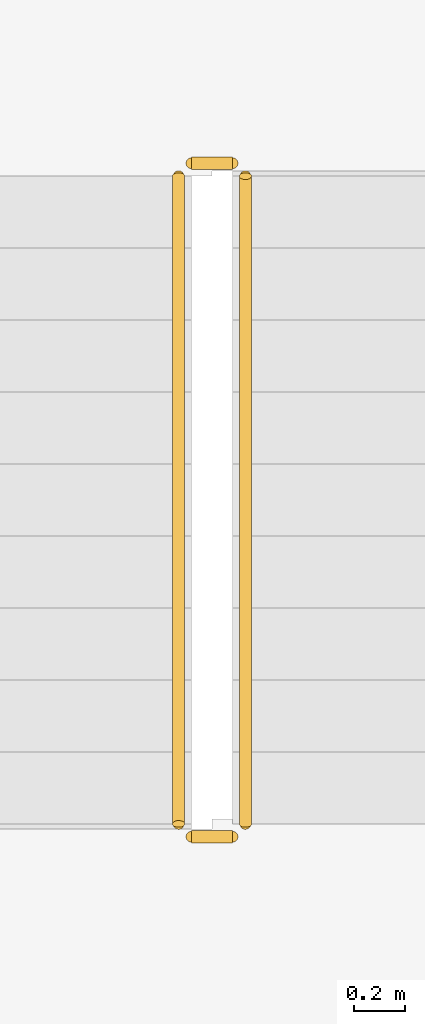
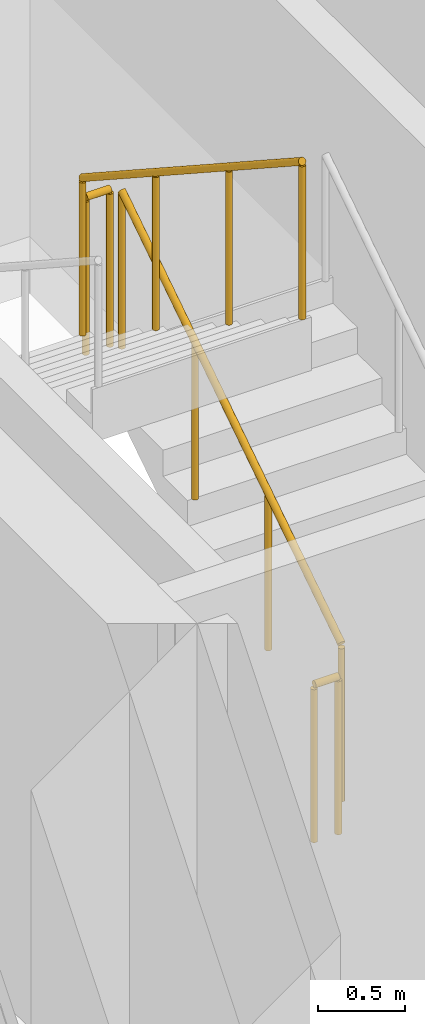
# One storey, part 10 of 13: 4 railings.
"""IFC4 building model written with IfcOpenShell, lengths in metres."""

from ifc_helpers import new_model, si_unit, direction, frame, origin, origin_2d, place, context, subcontext, project, spatial, circle, extrude, material, type_object, element, save


model = new_model("IFC4")

# Units and contexts
model_context = context("Model", 3, precision=1e-05, world=origin(), true_north=direction((0.0, 1.0)))
body_context = subcontext(model_context, "Body", "Model", "MODEL_VIEW")
ifc_project = project(units=[si_unit("LENGTHUNIT", "METRE"), si_unit("AREAUNIT", "SQUARE_METRE"), si_unit("VOLUMEUNIT", "CUBIC_METRE"), si_unit("PLANEANGLEUNIT", "RADIAN"), si_unit("MASSUNIT", "GRAM", prefix="KILO")], contexts=[model_context])

# Site, building, storey
site_placement = place(None, origin())
site = spatial("IfcSite", under=ifc_project, at=site_placement, CompositionType="ELEMENT")
building_placement = place(site_placement, origin())
building = spatial("IfcBuilding", under=site, at=building_placement, Name="Nuvemarco Arch Tower", CompositionType="ELEMENT")
storey_placement = place(building_placement, frame((0.0, 0.0, 27.60009765625)))
storey = spatial("IfcBuildingStorey", under=building, at=storey_placement, Name="L06", CompositionType="ELEMENT", Elevation=27.60009765625)

# Railings
ifc_material = material(Name="Painted balustrade steel S355", Category="steel")
railing_type = type_object("IfcRailingType", Name="RL-STAIR-GUARD", PredefinedType="GUARDRAIL", material=ifc_material)
railing_1_placement = place(storey_placement, frame((-14.93994140625, 2.64990234375, 0.182373046875)))
element("IfcRailing", 1, at=railing_1_placement, inside=storey, type_object=railing_type, Name="L06 ST-1 stair guard 1", PredefinedType="GUARDRAIL", context=body_context, shape_type="SweptSolid", body=[
    extrude(circle(Radius=0.02392578125, at=origin_2d()), frame((0.0, 0.0, 1.09619140625), z_axis=(0.0, 0.837749427056, 0.546054848405), x_axis=(-1.0, 0.0, 0.0)), (0.0, 0.0, 1.0), 3.008056640625),
    extrude(circle(Radius=0.02099609375, at=origin_2d()), origin(), (0.0, 0.0, 1.0), 1.072021484375),
    extrude(circle(Radius=0.02099609375, at=origin_2d()), frame((0.0, 0.840087890625, 0.547607421875)), (0.0, 0.0, 1.0), 1.072021484375),
    extrude(circle(Radius=0.02099609375, at=origin_2d()), frame((0.0, 1.679931640625, 1.094970703125)), (0.0, 0.0, 1.0), 1.072021484375),
    extrude(circle(Radius=0.02099609375, at=origin_2d()), frame((0.0, 2.52001953125, 1.642578125)), (0.0, 0.0, 1.0), 1.072021484375),
])
railing_2_placement = place(storey_placement, frame((-14.989990234375, 5.219970703125, 1.824951171875)))
element("IfcRailing", 2, at=railing_2_placement, inside=storey, type_object=railing_type, Name="L06 ST-1 stair guard 2", PredefinedType="GUARDRAIL", context=body_context, shape_type="SweptSolid", body=[
    extrude(circle(Radius=0.02392578125, at=origin_2d()), frame((0.0, 0.0, 1.09619140625), z_axis=(-1.0, 0.0, 0.0), x_axis=(0.0, -1.0, 0.0)), (0.0, 0.0, 1.0), 0.159912109375),
    extrude(circle(Radius=0.02099609375, at=origin_2d()), origin(), (0.0, 0.0, 1.0), 1.072021484375),
    extrude(circle(Radius=0.02099609375, at=origin_2d()), frame((-0.159912109375, 0.0, 0.0)), (0.0, 0.0, 1.0), 1.072021484375),
])
railing_3_placement = place(storey_placement, frame((-15.199951171875, 5.169921875, 2.00732421875)))
element("IfcRailing", 3, at=railing_3_placement, inside=storey, type_object=railing_type, Name="L06 ST-1 stair guard 3", PredefinedType="GUARDRAIL", context=body_context, shape_type="SweptSolid", body=[
    extrude(circle(Radius=0.02392578125, at=origin_2d()), frame((0.0, 0.0, 1.09619140625), z_axis=(0.0, -0.837749427056, 0.546054848405), x_axis=(1.0, 0.0, 0.0)), (0.0, 0.0, 1.0), 3.008056640625),
    extrude(circle(Radius=0.02099609375, at=origin_2d()), origin(), (0.0, 0.0, 1.0), 1.072021484375),
    extrude(circle(Radius=0.02099609375, at=origin_2d()), frame((0.0, -0.840087890625, 0.547607421875)), (0.0, 0.0, 1.0), 1.072021484375),
    extrude(circle(Radius=0.02099609375, at=origin_2d()), frame((0.0, -1.679931640625, 1.094970703125)), (0.0, 0.0, 1.0), 1.072021484375),
    extrude(circle(Radius=0.02099609375, at=origin_2d()), frame((0.0, -2.52001953125, 1.642578125)), (0.0, 0.0, 1.0), 1.072021484375),
])
railing_4_placement = place(storey_placement, frame((-14.989990234375, 2.60009765625, 0.0)))
element("IfcRailing", 4, at=railing_4_placement, inside=storey, type_object=railing_type, Name="L06 ST-1 stair guard 4", PredefinedType="GUARDRAIL", context=body_context, shape_type="SweptSolid", body=[
    extrude(circle(Radius=0.02392578125, at=origin_2d()), frame((0.0, 0.0, 1.09619140625), z_axis=(-1.0, 0.0, 0.0), x_axis=(0.0, -1.0, 0.0)), (0.0, 0.0, 1.0), 0.159912109375),
    extrude(circle(Radius=0.02099609375, at=origin_2d()), origin(), (0.0, 0.0, 1.0), 1.072021484375),
    extrude(circle(Radius=0.02099609375, at=origin_2d()), frame((-0.159912109375, 0.0, 0.0)), (0.0, 0.0, 1.0), 1.072021484375),
])

save(model, "model.ifc")
